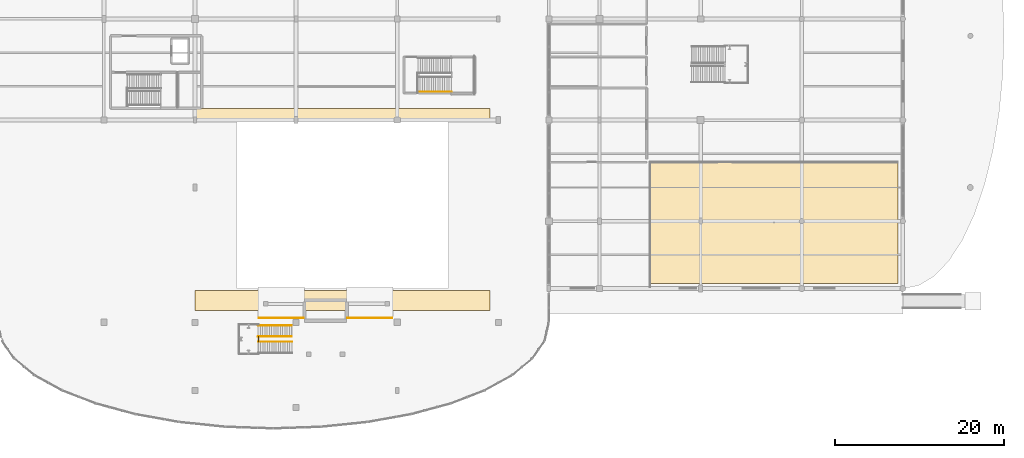
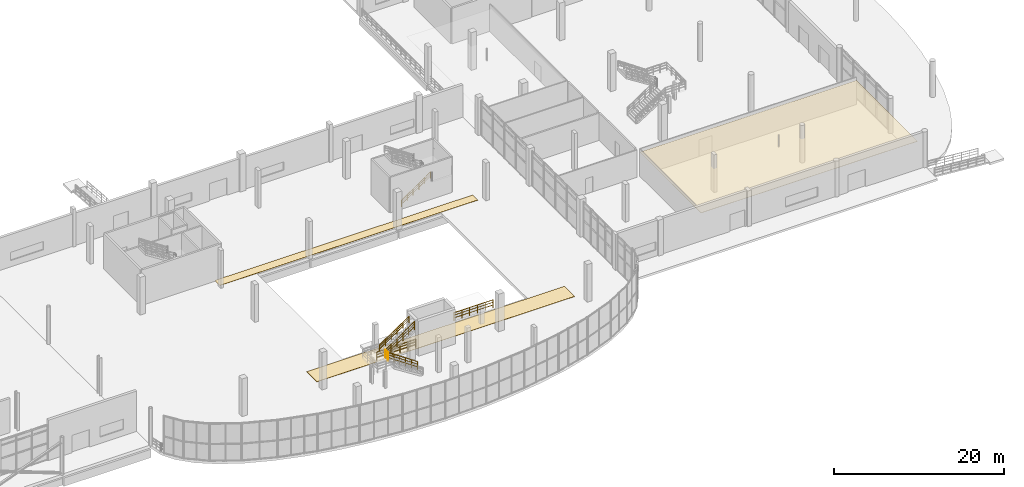
# One storey, part 79 of 85: 7 railings, 3 coverings.
"""IFC4 building model written with IfcOpenShell, lengths in metres."""

from ifc_helpers import new_model, si_unit, direction, frame, origin, origin_2d, place, context, subcontext, project, spatial, rectangle, circle, extrude, material, layer, layer_set, type_object, element, save


model = new_model("IFC4")

# Units and contexts
model_context = context("Model", 3, precision=1e-05, world=origin(), true_north=direction((0.0, 1.0)))
body_context = subcontext(model_context, "Body", "Model", "MODEL_VIEW")
ifc_project = project(units=[si_unit("LENGTHUNIT", "METRE"), si_unit("AREAUNIT", "SQUARE_METRE"), si_unit("VOLUMEUNIT", "CUBIC_METRE"), si_unit("PLANEANGLEUNIT", "RADIAN"), si_unit("MASSUNIT", "GRAM", prefix="KILO"), si_unit("THERMODYNAMICTEMPERATUREUNIT", "KELVIN"), si_unit("POWERUNIT", "WATT")], contexts=[model_context])

# Site, building, storey
site_placement = place(None, origin())
site = spatial("IfcSite", under=ifc_project, at=site_placement, CompositionType="ELEMENT")
building_placement = place(site_placement, origin())
building = spatial("IfcBuilding", under=site, at=building_placement, Name="Solmara Park Aquatics Centre", CompositionType="ELEMENT")
storey_placement = place(building_placement, origin())
storey = spatial("IfcBuildingStorey", under=building, at=storey_placement, Name="L00", CompositionType="ELEMENT", Elevation=0.0)

# Coverings
ifc_material_1 = material(Name="Moisture-Resistant Perforated Acoustic Gypsum Ceiling", Category="gypsum")
ifc_layer_1 = layer(ifc_material_1, 0.0400390625, Name="Moisture-Resistant Perforated Acoustic Gypsum Ceiling")
ifc_layer_set_1 = layer_set([ifc_layer_1], Name="Moisture-Resistant Perforated Acoustic Gypsum Ceiling")
covering_type_1 = type_object("IfcCoveringType", Name="ARC-COV-CEIL", PredefinedType="CEILING", material=ifc_layer_set_1)
covering_1_placement = place(storey_placement, frame((188.699951171875, 24.39990234375, 3.3798828125), z_axis=(0.0, 0.0, 1.0), x_axis=(1.0, 0.0, 0.0)))
element("IfcCovering", 1, at=covering_1_placement, inside=storey, type_object=covering_type_1, Name="Acoustic Suspended Ceiling L00-CAF-01", PredefinedType="CEILING", context=body_context, shape_type="SweptSolid", body=[
    extrude(rectangle(XDim=29.39990234375, YDim=14.39990234375, at=origin_2d()), origin(), (0.0, 0.0, 1.0), 0.0400390625),
])
ifc_material_2 = material(Name="Anti-Slip Seafoam Ceramic Pool Deck Tile", Category="ceramic")
ifc_layer_2 = layer(ifc_material_2, 0.030029296875, Name="Anti-Slip Seafoam Ceramic Pool Deck Tile")
ifc_layer_set_2 = layer_set([ifc_layer_2], Name="Anti-Slip Seafoam Ceramic Pool Deck Tile")
covering_type_2 = type_object("IfcCoveringType", Name="ARC-COV-TILE", PredefinedType="FLOORING", material=ifc_layer_set_2)
covering_2_placement = place(storey_placement, frame((137.5, 15.199951171875, 0.0), z_axis=(0.0, 0.0, 1.0), x_axis=(1.0, 0.0, 0.0)))
element("IfcCovering", 2, at=covering_2_placement, inside=storey, type_object=covering_type_2, Name="Seafoam Anti-Slip Pool Deck Tile 03", PredefinedType="FLOORING", context=body_context, shape_type="SweptSolid", body=[
    extrude(rectangle(XDim=35.0, YDim=2.39990234375, at=origin_2d()), origin(), (0.0, 0.0, 1.0), 0.030029296875),
])
covering_3_placement = place(storey_placement, frame((137.5, 37.39990234375, 0.0), z_axis=(0.0, 0.0, 1.0), x_axis=(1.0, 0.0, 0.0)))
element("IfcCovering", 3, at=covering_3_placement, inside=storey, type_object=covering_type_2, Name="Seafoam Anti-Slip Pool Deck Tile 04", PredefinedType="FLOORING", context=body_context, shape_type="SweptSolid", body=[
    extrude(rectangle(XDim=35.0, YDim=1.199951171875, at=origin_2d()), origin(), (0.0, 0.0, 1.0), 0.030029296875),
])

# Railings
ifc_material_3 = material(Name="Brushed Marine-Grade Stainless Steel 316L Handrail", Category="steel")
ifc_layer_3 = layer(ifc_material_3, 0.044921875, Name="Brushed Marine-Grade Stainless Steel 316L Handrail")
ifc_layer_set_3 = layer_set([ifc_layer_3], Name="Brushed Marine-Grade Stainless Steel 316L Handrail")
railing_type_1 = type_object("IfcRailingType", Name="ARC-RL-HND090", PredefinedType="HANDRAIL", material=ifc_layer_set_3)
railing_1_placement = place(storey_placement, frame((146.449951171875, 39.9599609375, 0.168701171875)))
element("IfcRailing", 4, at=railing_1_placement, inside=storey, type_object=railing_type_1, Name="Diving Pavilion Escape Stair ST-09 (L00-L01) Flight 1 Outer Handrail", PredefinedType="HANDRAIL", context=body_context, shape_type="SweptSolid", body=[
    extrude(circle(Radius=0.02392578125, at=origin_2d()), frame((0.0, 0.0, 0.89599609375), z_axis=(0.827204215732, 0.0, 0.561901401916), x_axis=(0.0, 1.0, 0.0)), (0.0, 0.0, 1.0), 4.805419921875),
    extrude(circle(Radius=0.01416015625, at=origin_2d()), frame((0.0, 0.0, 0.322021484375), z_axis=(0.827204215732, 0.0, 0.561901401916), x_axis=(0.0, 1.0, 0.0)), (0.0, 0.0, 1.0), 4.805419921875),
    extrude(circle(Radius=0.01416015625, at=origin_2d()), frame((0.0, 0.0, 0.62548828125), z_axis=(0.827204215732, 0.0, 0.561901401916), x_axis=(0.0, 1.0, 0.0)), (0.0, 0.0, 1.0), 4.805419921875),
    extrude(circle(Radius=0.02099609375, at=origin_2d()), origin(), (0.0, 0.0, 1.0), 0.871826171875),
    extrude(circle(Radius=0.02099609375, at=origin_2d()), frame((0.794921875, 0.0, 0.5400390625)), (0.0, 0.0, 1.0), 0.871826171875),
    extrude(circle(Radius=0.02099609375, at=origin_2d()), frame((1.590087890625, 0.0, 1.080078125)), (0.0, 0.0, 1.0), 0.871826171875),
    extrude(circle(Radius=0.02099609375, at=origin_2d()), frame((2.385009765625, 0.0, 1.6201171875)), (0.0, 0.0, 1.0), 0.871826171875),
    extrude(circle(Radius=0.02099609375, at=origin_2d()), frame((3.18017578125, 0.0, 2.16015625)), (0.0, 0.0, 1.0), 0.871826171875),
    extrude(circle(Radius=0.02099609375, at=origin_2d()), frame((3.97509765625, 0.0, 2.7001953125)), (0.0, 0.0, 1.0), 0.871826171875),
])
railing_2_placement = place(storey_placement, frame((127.4951171875, 12.239990234375, 2.868896484375)))
element("IfcRailing", 5, at=railing_2_placement, inside=storey, type_object=railing_type_1, Name="Diving Tower Platform Stair DT-01 Flight 2 Outer Handrail", PredefinedType="HANDRAIL", context=body_context, shape_type="SweptSolid", body=[
    extrude(circle(Radius=0.02392578125, at=origin_2d()), frame((0.0, 0.0, 0.89599609375), z_axis=(0.827211789872, 0.0, 0.56189025147), x_axis=(0.0, 1.0, 0.0)), (0.0, 0.0, 1.0), 4.80517578125),
    extrude(circle(Radius=0.01416015625, at=origin_2d()), frame((0.0, 0.0, 0.322021484375), z_axis=(0.827211789872, 0.0, 0.56189025147), x_axis=(0.0, 1.0, 0.0)), (0.0, 0.0, 1.0), 4.80517578125),
    extrude(circle(Radius=0.01416015625, at=origin_2d()), frame((0.0, 0.0, 0.62548828125), z_axis=(0.827211789872, 0.0, 0.56189025147), x_axis=(0.0, 1.0, 0.0)), (0.0, 0.0, 1.0), 4.80517578125),
    extrude(circle(Radius=0.02099609375, at=origin_2d()), origin(), (0.0, 0.0, 1.0), 0.871826171875),
    extrude(circle(Radius=0.02099609375, at=origin_2d()), frame((0.794921875, 0.0, 0.5400390625)), (0.0, 0.0, 1.0), 0.871826171875),
    extrude(circle(Radius=0.02099609375, at=origin_2d()), frame((1.58984375, 0.0, 1.080078125)), (0.0, 0.0, 1.0), 0.871826171875),
    extrude(circle(Radius=0.02099609375, at=origin_2d()), frame((2.385009765625, 0.0, 1.619873046875)), (0.0, 0.0, 1.0), 0.871826171875),
    extrude(circle(Radius=0.02099609375, at=origin_2d()), frame((3.179931640625, 0.0, 2.159912109375)), (0.0, 0.0, 1.0), 0.871826171875),
    extrude(circle(Radius=0.02099609375, at=origin_2d()), frame((3.974853515625, 0.0, 2.699951171875)), (0.0, 0.0, 1.0), 0.871826171875),
])
ifc_material_4 = material(Name="Toughened Glass and Stainless Steel Stand Guardrail", Category="steel")
ifc_layer_4 = layer(ifc_material_4, 0.06005859375, Name="Toughened Glass and Stainless Steel Stand Guardrail")
ifc_layer_set_4 = layer_set([ifc_layer_4], Name="Toughened Glass and Stainless Steel Stand Guardrail")
railing_type_2 = type_object("IfcRailingType", Name="ARC-RL-STD110", PredefinedType="GUARDRAIL", material=ifc_layer_set_4)
for number, where, name in (
    (6, (127.60009765625, 13.10009765625, 1.0), "Atrium & Gallery Void Guardrail 24"),
    (7, (138.10009765625, 13.10009765625, 3.0), "Atrium & Gallery Void Guardrail 25"),
):
    element("IfcRailing", number, at=place(storey_placement, frame(where)), inside=storey, type_object=railing_type_2, Name=name, PredefinedType="GUARDRAIL", context=body_context, shape_type="SweptSolid", body=[
        extrude(circle(Radius=0.02392578125, at=origin_2d()), frame((0.0, 0.0, 1.15576171875), z_axis=(1.0, 0.0, 0.0), x_axis=(0.0, 1.0, 0.0)), (0.0, 0.0, 1.0), 5.2998046875),
        extrude(circle(Radius=0.01416015625, at=origin_2d()), frame((0.0, 0.0, 0.4130859375), z_axis=(1.0, 0.0, 0.0), x_axis=(0.0, 1.0, 0.0)), (0.0, 0.0, 1.0), 5.2998046875),
        extrude(circle(Radius=0.01416015625, at=origin_2d()), frame((0.0, 0.0, 0.80224609375), z_axis=(1.0, 0.0, 0.0), x_axis=(0.0, 1.0, 0.0)), (0.0, 0.0, 1.0), 5.2998046875),
        extrude(circle(Radius=0.02099609375, at=origin_2d()), origin(), (0.0, 0.0, 1.0), 1.1318359375),
        extrude(circle(Radius=0.02099609375, at=origin_2d()), frame((1.06005859375, 0.0, 0.0)), (0.0, 0.0, 1.0), 1.1318359375),
        extrude(circle(Radius=0.02099609375, at=origin_2d()), frame((2.119873046875, 0.0, 0.0)), (0.0, 0.0, 1.0), 1.1318359375),
        extrude(circle(Radius=0.02099609375, at=origin_2d()), frame((3.179931640625, 0.0, 0.0)), (0.0, 0.0, 1.0), 1.1318359375),
        extrude(circle(Radius=0.02099609375, at=origin_2d()), frame((4.23974609375, 0.0, 0.0)), (0.0, 0.0, 1.0), 1.1318359375),
        extrude(circle(Radius=0.02099609375, at=origin_2d()), frame((5.2998046875, 0.0, 0.0)), (0.0, 0.0, 1.0), 1.1318359375),
    ])
ifc_material_5 = material(Name="Brushed Stainless Steel Guardrail", Category="steel")
ifc_layer_5 = layer(ifc_material_5, 0.050048828125, Name="Brushed Stainless Steel Guardrail")
ifc_layer_set_5 = layer_set([ifc_layer_5], Name="Brushed Stainless Steel Guardrail")
railing_type_3 = type_object("IfcRailingType", Name="ARC-RL-STR110", PredefinedType="GUARDRAIL", material=ifc_layer_set_5)
railing_3_placement = place(storey_placement, frame((131.5, 10.300048828125, 0.0)))
element("IfcRailing", 8, at=railing_3_placement, inside=storey, type_object=railing_type_3, Name="Diving Tower Platform Stair DT-01 Flight 1 Inner Guardrail", PredefinedType="GUARDRAIL", context=body_context, shape_type="SweptSolid", body=[
    extrude(circle(Radius=0.02392578125, at=origin_2d()), frame((0.0, 0.0, 1.15576171875), z_axis=(-0.827227830126, 0.0, 0.561866636369), x_axis=(0.0, -1.0, 0.0)), (0.0, 0.0, 1.0), 4.805419921875),
    extrude(circle(Radius=0.01416015625, at=origin_2d()), frame((0.0, 0.0, 0.4130859375), z_axis=(-0.827227830126, 0.0, 0.561866636369), x_axis=(0.0, -1.0, 0.0)), (0.0, 0.0, 1.0), 4.805419921875),
    extrude(circle(Radius=0.01416015625, at=origin_2d()), frame((0.0, 0.0, 0.80224609375), z_axis=(-0.827227830126, 0.0, 0.561866636369), x_axis=(0.0, -1.0, 0.0)), (0.0, 0.0, 1.0), 4.805419921875),
    extrude(circle(Radius=0.02099609375, at=origin_2d()), origin(), (0.0, 0.0, 1.0), 1.1318359375),
    extrude(circle(Radius=0.02099609375, at=origin_2d()), frame((-0.794921875, 0.0, 0.5400390625)), (0.0, 0.0, 1.0), 1.1318359375),
    extrude(circle(Radius=0.02099609375, at=origin_2d()), frame((-1.590087890625, 0.0, 1.080078125)), (0.0, 0.0, 1.0), 1.1318359375),
    extrude(circle(Radius=0.02099609375, at=origin_2d()), frame((-2.385009765625, 0.0, 1.619873046875)), (0.0, 0.0, 1.0), 1.1318359375),
    extrude(circle(Radius=0.02099609375, at=origin_2d()), frame((-3.18017578125, 0.0, 2.159912109375)), (0.0, 0.0, 1.0), 1.1318359375),
    extrude(circle(Radius=0.02099609375, at=origin_2d()), frame((-3.97509765625, 0.0, 2.699951171875)), (0.0, 0.0, 1.0), 1.1318359375),
])
railing_4_placement = place(storey_placement, frame((127.4951171875, 10.89990234375, 2.699951171875)))
element("IfcRailing", 9, at=railing_4_placement, inside=storey, type_object=railing_type_3, Name="Diving Tower Platform Stair DT-01 Flight 2 Inner Guardrail", PredefinedType="GUARDRAIL", context=body_context, shape_type="SweptSolid", body=[
    extrude(circle(Radius=0.02392578125, at=origin_2d()), frame((0.0, 0.0, 1.15576171875), z_axis=(0.827211789872, 0.0, 0.56189025147), x_axis=(0.0, 1.0, 0.0)), (0.0, 0.0, 1.0), 4.80517578125),
    extrude(circle(Radius=0.01416015625, at=origin_2d()), frame((0.0, 0.0, 0.4130859375), z_axis=(0.827211789872, 0.0, 0.56189025147), x_axis=(0.0, 1.0, 0.0)), (0.0, 0.0, 1.0), 4.80517578125),
    extrude(circle(Radius=0.01416015625, at=origin_2d()), frame((0.0, 0.0, 0.80224609375), z_axis=(0.827211789872, 0.0, 0.56189025147), x_axis=(0.0, 1.0, 0.0)), (0.0, 0.0, 1.0), 4.80517578125),
    extrude(circle(Radius=0.02099609375, at=origin_2d()), origin(), (0.0, 0.0, 1.0), 1.1318359375),
    extrude(circle(Radius=0.02099609375, at=origin_2d()), frame((0.794921875, 0.0, 0.5400390625)), (0.0, 0.0, 1.0), 1.1318359375),
    extrude(circle(Radius=0.02099609375, at=origin_2d()), frame((1.58984375, 0.0, 1.080078125)), (0.0, 0.0, 1.0), 1.1318359375),
    extrude(circle(Radius=0.02099609375, at=origin_2d()), frame((2.385009765625, 0.0, 1.619873046875)), (0.0, 0.0, 1.0), 1.1318359375),
    extrude(circle(Radius=0.02099609375, at=origin_2d()), frame((3.179931640625, 0.0, 2.159912109375)), (0.0, 0.0, 1.0), 1.1318359375),
    extrude(circle(Radius=0.02099609375, at=origin_2d()), frame((3.974853515625, 0.0, 2.699951171875)), (0.0, 0.0, 1.0), 1.1318359375),
])
railing_5_placement = place(storey_placement, frame((127.52490234375, 10.280029296875, 2.699951171875)))
element("IfcRailing", 10, at=railing_5_placement, inside=storey, type_object=railing_type_3, Name="Diving Tower Platform Stair DT-01 Half-Landing Well Guardrail", PredefinedType="GUARDRAIL", context=body_context, shape_type="SweptSolid", body=[
    extrude(circle(Radius=0.02392578125, at=origin_2d()), frame((0.0, 0.0, 1.15576171875), z_axis=(0.0, 1.0, 0.0), x_axis=(-1.0, 0.0, 0.0)), (0.0, 0.0, 1.0), 0.639892578125),
    extrude(circle(Radius=0.01416015625, at=origin_2d()), frame((0.0, 0.0, 0.4130859375), z_axis=(0.0, 1.0, 0.0), x_axis=(-1.0, 0.0, 0.0)), (0.0, 0.0, 1.0), 0.639892578125),
    extrude(circle(Radius=0.01416015625, at=origin_2d()), frame((0.0, 0.0, 0.80224609375), z_axis=(0.0, 1.0, 0.0), x_axis=(-1.0, 0.0, 0.0)), (0.0, 0.0, 1.0), 0.639892578125),
    extrude(circle(Radius=0.02099609375, at=origin_2d()), origin(), (0.0, 0.0, 1.0), 1.1318359375),
    extrude(circle(Radius=0.02099609375, at=origin_2d()), frame((0.0, 0.639892578125, 0.0)), (0.0, 0.0, 1.0), 1.1318359375),
])

save(model, "model.ifc")
